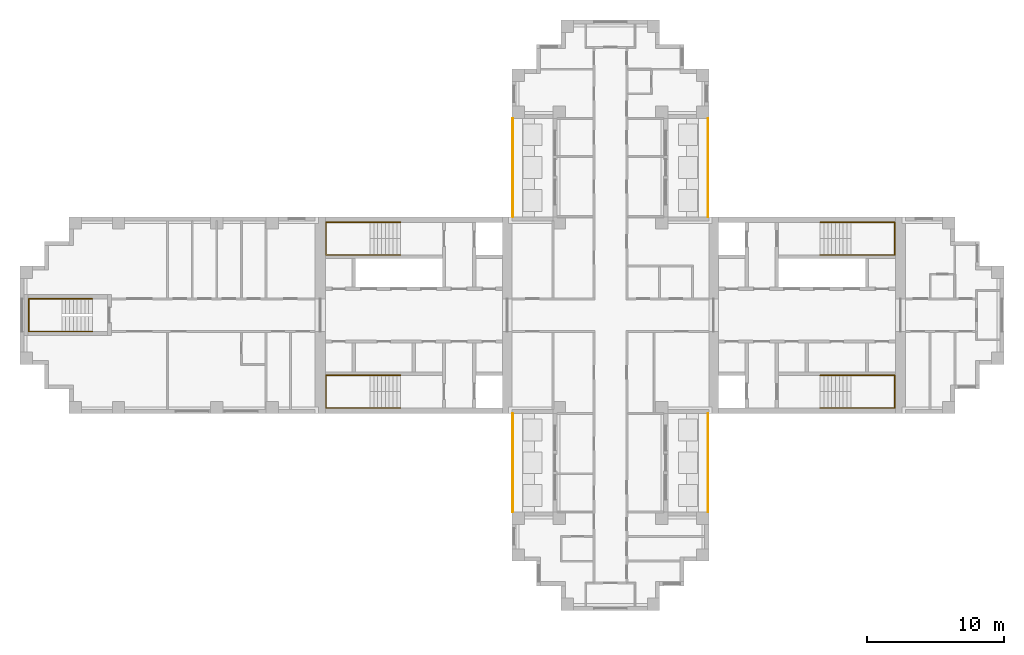
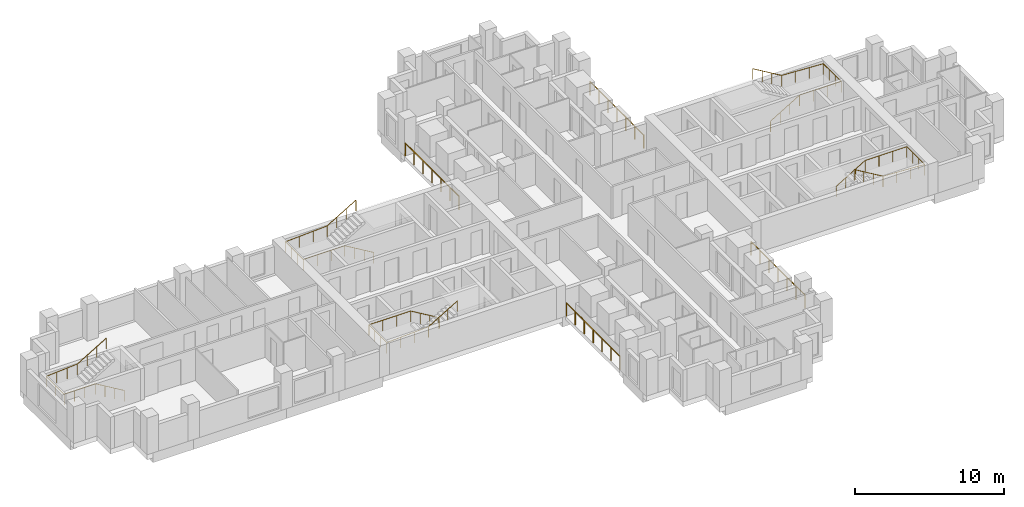
# One storey, part 9 of 10: 9 railings.
"""IFC4 building model written with IfcOpenShell, lengths in metres."""

import ifcopenshell
import ifcopenshell.guid

model = None  # the IFC model being written
_history = None  # IfcOwnerHistory: only IFC2X3 demands one
_inside = {}  # id of a spatial element -> (the spatial element, [elements in it])
_under = {}  # id of a project, library or spatial element -> (it, [spatial elements below it])
_declared = {}  # id of a project -> (the project, [libraries it declares])
_typed = {}  # id of a type object -> (the type object, [elements of that type])
_made_of = {}  # id of a material, layer set ... -> (it, [elements and type objects made of it])


def new_model(schema):
    """Start an empty IFC model of exactly this schema.

    Asked for "IFC4X3", IfcOpenShell would pick the latest addendum, in which some entities
    have other attributes; the version numbers below select the first issue.
    IFC2X3 requires an IfcOwnerHistory on every rooted entity: one is made here for all.
    """
    global model, _history
    if schema == "IFC4X3":
        model = ifcopenshell.file(schema_version=(4, 3, 0, 0))
    else:
        model = ifcopenshell.file(schema=schema)
    _inside.clear()
    _under.clear()
    _declared.clear()
    _typed.clear()
    _made_of.clear()
    _history = None
    if model.schema == "IFC2X3":
        org = make("IfcOrganization", Name="unknown")
        user = make(
            "IfcPersonAndOrganization",
            ThePerson=make("IfcPerson", FamilyName="unknown"),
            TheOrganization=org,
        )
        app = make(
            "IfcApplication",
            ApplicationDeveloper=org,
            Version="unknown",
            ApplicationFullName="unknown",
            ApplicationIdentifier="unknown",
        )
        _history = make(
            "IfcOwnerHistory",
            OwningUser=user,
            OwningApplication=app,
            ChangeAction="ADDED",
            CreationDate=0,
        )
    return model


def make(cls, **values):
    """One entity of the class cls with the attributes given. An attribute that is None is left unset."""
    return model.create_entity(
        cls, **{name: value for name, value in values.items() if value is not None}
    )


def rooted(cls, **values):
    """An entity with a GlobalId (a new one), such as an element, a storey or a relation."""
    return make(cls, GlobalId=ifcopenshell.guid.new(), OwnerHistory=_history, **values)


def si_unit(unit_type, name, prefix=None):
    """IfcSIUnit, for example si_unit("LENGTHUNIT", "METRE", prefix="MILLI")."""
    return make("IfcSIUnit", UnitType=unit_type, Prefix=prefix, Name=name)


def assignment(units):
    """IfcUnitAssignment: the units of a project."""
    return None if units is None else make("IfcUnitAssignment", Units=units)


def point(xyz):
    """IfcCartesianPoint."""
    return None if xyz is None else make("IfcCartesianPoint", Coordinates=xyz)


def direction(xyz):
    """IfcDirection."""
    return None if xyz is None else make("IfcDirection", DirectionRatios=xyz)


def frame(location, z_axis=None, x_axis=None):
    """IfcAxis2Placement3D, a coordinate frame: its origin and axes. An axis left out is left unset."""
    return make(
        "IfcAxis2Placement3D",
        Location=point(location),
        Axis=direction(z_axis),
        RefDirection=direction(x_axis),
    )


def frame_2d(location, x_axis=None):
    """IfcAxis2Placement2D, a coordinate frame in the plane: its origin and x axis."""
    return make(
        "IfcAxis2Placement2D", Location=point(location), RefDirection=direction(x_axis)
    )


def origin():
    """The frame at (0, 0, 0) with its axes left unset."""
    return frame((0.0, 0.0, 0.0))


def origin_2d():
    """The frame at (0, 0) in the plane with its x axis left unset."""
    return frame_2d((0.0, 0.0))


def place(relative_to, where):
    """IfcLocalPlacement: puts the frame where relative to a parent placement (None: the world)."""
    return make(
        "IfcLocalPlacement", PlacementRelTo=relative_to, RelativePlacement=where
    )


def context(
    kind, dimensions, precision=None, world=None, true_north=None, identifier=None
):
    """IfcGeometricRepresentationContext, for example the 3D "Model" context."""
    return make(
        "IfcGeometricRepresentationContext",
        ContextIdentifier=identifier,
        ContextType=kind,
        CoordinateSpaceDimension=dimensions,
        Precision=precision,
        WorldCoordinateSystem=world,
        TrueNorth=true_north,
    )


def subcontext(parent, identifier, kind, view, scale=None):
    """IfcGeometricRepresentationSubContext, for example "Body" below "Model"."""
    return make(
        "IfcGeometricRepresentationSubContext",
        ContextIdentifier=identifier,
        ContextType=kind,
        ParentContext=parent,
        TargetScale=scale,
        TargetView=view,
    )


def project(units=None, contexts=None):
    """IfcProject with its units and contexts."""
    return rooted(
        "IfcProject",
        Name="project",
        RepresentationContexts=contexts,
        UnitsInContext=assignment(units),
    )


def spatial(cls, under=None, at=None, **own):
    """A site, building, storey or space (cls), placed at a placement, below another one or the project."""
    s = rooted(cls, ObjectPlacement=at, **own)
    if under is not None:
        _under.setdefault(under.id(), (under, []))[1].append(s)
    return s


def profile(cls, at=None, kind="AREA", **sizes):
    """A parametric profile (cls). Its sizes go by their IFC names, for example OverallWidth=200.0."""
    return make(cls, ProfileType=kind, Position=at, **sizes)


def circle(**sizes):
    """IfcCircleProfileDef."""
    return profile("IfcCircleProfileDef", **sizes)


def extrude(swept, where, along, depth):
    """IfcExtrudedAreaSolid: the profile swept, set in the frame where, extruded along a direction by depth."""
    return make(
        "IfcExtrudedAreaSolid",
        SweptArea=swept,
        Position=where,
        ExtrudedDirection=direction(along),
        Depth=depth,
    )


def shape(context_of_items, identifier, shape_type, items):
    """IfcShapeRepresentation: the items that make up one representation, for example the "Body"."""
    return make(
        "IfcShapeRepresentation",
        ContextOfItems=context_of_items,
        RepresentationIdentifier=identifier,
        RepresentationType=shape_type,
        Items=items,
    )


def material(Name=None, Category=None):
    """IfcMaterial."""
    return make("IfcMaterial", Name=Name, Category=Category)


def made_of(thing, what):
    """Note that an element or type object is made of a material, layer set ...; save() writes the relation."""
    if what is not None:
        _made_of.setdefault(what.id(), (what, []))[1].append(thing)
    return thing


def type_object(cls, material=None, **own):
    """A type object (cls), such as IfcWallType, which elements share."""
    return made_of(rooted(cls, **own), material)


def element(
    cls,
    number,
    at=None,
    inside=None,
    cuts=None,
    type_object=None,
    material=None,
    context=None,
    identifier="Body",
    shape_type=None,
    held_by="IfcProductDefinitionShape",
    body=None,
    shapes=None,
    **own,
):
    """One element of the class cls, such as IfcWall. Its Tag is "e" and its number.

    at: its placement. inside: the storey or other place that contains it. cuts: it is an
    opening in that element (IfcRelVoidsElement). A single representation is given by context,
    identifier, shape_type and body (its items); several are given by shapes. held_by: the class
    of the entity that holds the representations. save() writes the other relations.
    """
    e = rooted(cls, Tag="e%d" % number, ObjectPlacement=at, **own)
    if body is not None:
        shapes = [shape(context, identifier, shape_type, body)]
    if shapes is not None:
        e.Representation = make(held_by, Representations=shapes)
    if inside is not None:
        _inside.setdefault(inside.id(), (inside, []))[1].append(e)
    if cuts is not None:
        rooted(
            "IfcRelVoidsElement", RelatingBuildingElement=cuts, RelatedOpeningElement=e
        )
    if type_object is not None:
        _typed.setdefault(type_object.id(), (type_object, []))[1].append(e)
    return made_of(e, material)


def aggregate(whole, parts):
    """IfcRelAggregates: a whole, such as a stair, and the parts it consists of."""
    return rooted("IfcRelAggregates", RelatingObject=whole, RelatedObjects=parts)


def save(model, path):
    """Write the relations noted so far, then the file.

    IfcRelAggregates (storeys below a building ...), IfcRelContainedInSpatialStructure (elements
    in a storey), IfcRelDefinesByType, IfcRelAssociatesMaterial and IfcRelDeclares: one each for
    every whole, place, type object, material and project.
    """
    for whole, parts in _under.values():
        aggregate(whole, parts)
    for where, things in _inside.values():
        rooted(
            "IfcRelContainedInSpatialStructure",
            RelatedElements=things,
            RelatingStructure=where,
        )
    for kind, things in _typed.values():
        rooted("IfcRelDefinesByType", RelatedObjects=things, RelatingType=kind)
    for what, things in _made_of.values():
        rooted("IfcRelAssociatesMaterial", RelatedObjects=things, RelatingMaterial=what)
    for by, libraries in _declared.values():
        rooted("IfcRelDeclares", RelatingContext=by, RelatedDefinitions=libraries)
    model.write(path)


model = new_model("IFC4")

# Units and contexts
model_context = context("Model", 3, precision=1e-05, world=origin(), true_north=direction((0.0, 1.0)))
body_context = subcontext(model_context, "Body", "Model", "MODEL_VIEW")
ifc_project = project(units=[si_unit("LENGTHUNIT", "METRE"), si_unit("AREAUNIT", "SQUARE_METRE"), si_unit("VOLUMEUNIT", "CUBIC_METRE"), si_unit("PLANEANGLEUNIT", "RADIAN"), si_unit("MASSUNIT", "GRAM", prefix="KILO")], contexts=[model_context])

# Site, building, storey
site_placement = place(None, origin())
site = spatial("IfcSite", under=ifc_project, at=site_placement, CompositionType="ELEMENT")
building_placement = place(site_placement, origin())
building = spatial("IfcBuilding", under=site, at=building_placement, Name="Fustian Cross Tower", CompositionType="ELEMENT")
storey_placement = place(building_placement, frame((0.0, 0.0, 182.699951171875)))
storey = spatial("IfcBuildingStorey", under=building, at=storey_placement, Name="L57", CompositionType="ELEMENT", Elevation=182.699951171875)

# Railings
ifc_material_1 = material(Name="Stainless steel and glass", Category="steel")
railing_type_1 = type_object("IfcRailingType", Name="GR1 BALCONY GUARD 1100", PredefinedType="GUARDRAIL", material=ifc_material_1)
for number, where, name in (
    (1, (7.14990234375, 7.199951171875, 0.0), "Balcony guard"),
    (2, (-7.14990234375, 7.199951171875, 0.0), "Balcony guard"),
    (3, (7.14990234375, -14.39990234375, 0.0), "Balcony guard"),
    (4, (-7.14990234375, -14.39990234375, 0.0), "Balcony guard"),
):
    element("IfcRailing", number, at=place(storey_placement, frame(where)), inside=storey, type_object=railing_type_1, Name=name, PredefinedType="GUARDRAIL", context=body_context, shape_type="SweptSolid", body=[
        extrude(circle(Radius=0.02392578125, at=origin_2d()), frame((0.0, 0.0, 1.076171875), z_axis=(0.0, 1.0, 0.0), x_axis=(-1.0, 0.0, 0.0)), (0.0, 0.0, 1.0), 7.199951171875),
        extrude(circle(Radius=0.02099609375, at=origin_2d()), origin(), (0.0, 0.0, 1.0), 1.052001953125),
        extrude(circle(Radius=0.02099609375, at=origin_2d()), frame((0.0, 1.199951171875, 0.0)), (0.0, 0.0, 1.0), 1.052001953125),
        extrude(circle(Radius=0.02099609375, at=origin_2d()), frame((0.0, 2.39990234375, 0.0)), (0.0, 0.0, 1.0), 1.052001953125),
        extrude(circle(Radius=0.02099609375, at=origin_2d()), frame((0.0, 3.60009765625, 0.0)), (0.0, 0.0, 1.0), 1.052001953125),
        extrude(circle(Radius=0.02099609375, at=origin_2d()), frame((0.0, 4.800048828125, 0.0)), (0.0, 0.0, 1.0), 1.052001953125),
        extrude(circle(Radius=0.02099609375, at=origin_2d()), frame((0.0, 6.0, 0.0)), (0.0, 0.0, 1.0), 1.052001953125),
        extrude(circle(Radius=0.02099609375, at=origin_2d()), frame((0.0, 7.199951171875, 0.0)), (0.0, 0.0, 1.0), 1.052001953125),
    ])
ifc_material_2 = material(Name="Stainless steel", Category="steel")
railing_type_2 = type_object("IfcRailingType", Name="STAIR HANDRAIL", PredefinedType="HANDRAIL", material=ifc_material_2)
railing_1_placement = place(storey_placement, frame((15.35009765625, 4.39990234375, 0.166748046875)))
element("IfcRailing", 5, at=railing_1_placement, inside=storey, type_object=railing_type_2, Name="Stair ST1 handrail 1", PredefinedType="HANDRAIL", context=body_context, shape_type="SweptSolid", body=[
    extrude(circle(Radius=0.02490234375, at=origin_2d()), frame((0.0, 0.0, 0.875), z_axis=(0.859305625298, 0.0, 0.511462454469), x_axis=(0.0, 1.0, 0.0)), (0.0, 0.0, 1.0), 2.606689453125),
    extrude(circle(Radius=0.02490234375, at=origin_2d()), frame((2.239990234375, 0.0, 2.2080078125), z_axis=(1.0, 0.0, 0.0), x_axis=(0.0, 1.0, 0.0)), (0.0, 0.0, 1.0), 3.219970703125),
    extrude(circle(Radius=0.02490234375, at=origin_2d()), frame((5.4599609375, 0.0, 2.2080078125), z_axis=(0.0, 1.0, 0.0), x_axis=(-1.0, 0.0, 0.0)), (0.0, 0.0, 1.0), 2.400146484375),
    extrude(circle(Radius=0.02490234375, at=origin_2d()), frame((5.4599609375, 2.400146484375, 2.2080078125), z_axis=(-0.998661817807, 0.0, 0.051716280352), x_axis=(0.0, -1.0, 0.0)), (0.0, 0.0, 1.0), 3.224365234375),
    extrude(circle(Radius=0.02490234375, at=origin_2d()), frame((2.239990234375, 2.400146484375, 2.375), z_axis=(-0.859305625298, 0.0, 0.511462454469), x_axis=(0.0, -1.0, 0.0)), (0.0, 0.0, 1.0), 2.606689453125),
    extrude(circle(Radius=0.02001953125, at=origin_2d()), origin(), (0.0, 0.0, 1.0), 0.849853515625),
    extrude(circle(Radius=0.02001953125, at=origin_2d()), frame((0.74658203125, 0.0, 0.4443359375)), (0.0, 0.0, 1.0), 0.849853515625),
    extrude(circle(Radius=0.02001953125, at=origin_2d()), frame((1.493408203125, 0.0, 0.888916015625)), (0.0, 0.0, 1.0), 0.849853515625),
    extrude(circle(Radius=0.02001953125, at=origin_2d()), frame((2.239990234375, 0.0, 1.333251953125)), (0.0, 0.0, 1.0), 0.849853515625),
    extrude(circle(Radius=0.02001953125, at=origin_2d()), frame((3.313232421875, 0.0, 1.333251953125)), (0.0, 0.0, 1.0), 0.849853515625),
    extrude(circle(Radius=0.02001953125, at=origin_2d()), frame((4.38671875, 0.0, 1.333251953125)), (0.0, 0.0, 1.0), 0.849853515625),
    extrude(circle(Radius=0.02001953125, at=origin_2d()), frame((5.4599609375, 0.0, 1.333251953125)), (0.0, 0.0, 1.0), 0.849853515625),
    extrude(circle(Radius=0.02001953125, at=origin_2d()), frame((5.4599609375, 0.800048828125, 1.333251953125)), (0.0, 0.0, 1.0), 0.849853515625),
    extrude(circle(Radius=0.02001953125, at=origin_2d()), frame((5.4599609375, 1.60009765625, 1.333251953125)), (0.0, 0.0, 1.0), 0.849853515625),
    extrude(circle(Radius=0.02001953125, at=origin_2d()), frame((5.4599609375, 2.400146484375, 1.333251953125)), (0.0, 0.0, 1.0), 0.849853515625),
    extrude(circle(Radius=0.02001953125, at=origin_2d()), frame((4.38671875, 2.400146484375, 1.388916015625)), (0.0, 0.0, 1.0), 0.849853515625),
    extrude(circle(Radius=0.02001953125, at=origin_2d()), frame((3.313232421875, 2.400146484375, 1.4443359375)), (0.0, 0.0, 1.0), 0.849853515625),
    extrude(circle(Radius=0.02001953125, at=origin_2d()), frame((2.239990234375, 2.400146484375, 1.5)), (0.0, 0.0, 1.0), 0.849853515625),
    extrude(circle(Radius=0.02001953125, at=origin_2d()), frame((1.493408203125, 2.400146484375, 1.9443359375)), (0.0, 0.0, 1.0), 0.849853515625),
    extrude(circle(Radius=0.02001953125, at=origin_2d()), frame((0.74658203125, 2.400146484375, 2.388916015625)), (0.0, 0.0, 1.0), 0.849853515625),
    extrude(circle(Radius=0.02001953125, at=origin_2d()), frame((0.0, 2.400146484375, 2.833251953125)), (0.0, 0.0, 1.0), 0.849853515625),
])
railing_2_placement = place(storey_placement, frame((15.35009765625, -4.39990234375, 0.166748046875)))
element("IfcRailing", 6, at=railing_2_placement, inside=storey, type_object=railing_type_2, Name="Stair ST2 handrail 1", PredefinedType="HANDRAIL", context=body_context, shape_type="SweptSolid", body=[
    extrude(circle(Radius=0.02490234375, at=origin_2d()), frame((0.0, 0.0, 0.875), z_axis=(0.859305625298, 0.0, 0.511462454469), x_axis=(0.0, 1.0, 0.0)), (0.0, 0.0, 1.0), 2.606689453125),
    extrude(circle(Radius=0.02490234375, at=origin_2d()), frame((2.239990234375, 0.0, 2.2080078125), z_axis=(1.0, 0.0, 0.0), x_axis=(0.0, 1.0, 0.0)), (0.0, 0.0, 1.0), 3.219970703125),
    extrude(circle(Radius=0.02490234375, at=origin_2d()), frame((5.4599609375, 0.0, 2.2080078125), z_axis=(0.0, -1.0, 0.0), x_axis=(1.0, 0.0, 0.0)), (0.0, 0.0, 1.0), 2.400146484375),
    extrude(circle(Radius=0.02490234375, at=origin_2d()), frame((5.4599609375, -2.400146484375, 2.2080078125), z_axis=(-0.998661817807, 0.0, 0.051716280352), x_axis=(0.0, -1.0, 0.0)), (0.0, 0.0, 1.0), 3.224365234375),
    extrude(circle(Radius=0.02490234375, at=origin_2d()), frame((2.239990234375, -2.400146484375, 2.375), z_axis=(-0.859305625298, 0.0, 0.511462454469), x_axis=(0.0, -1.0, 0.0)), (0.0, 0.0, 1.0), 2.606689453125),
    extrude(circle(Radius=0.02001953125, at=origin_2d()), origin(), (0.0, 0.0, 1.0), 0.849853515625),
    extrude(circle(Radius=0.02001953125, at=origin_2d()), frame((0.74658203125, 0.0, 0.4443359375)), (0.0, 0.0, 1.0), 0.849853515625),
    extrude(circle(Radius=0.02001953125, at=origin_2d()), frame((1.493408203125, 0.0, 0.888916015625)), (0.0, 0.0, 1.0), 0.849853515625),
    extrude(circle(Radius=0.02001953125, at=origin_2d()), frame((2.239990234375, 0.0, 1.333251953125)), (0.0, 0.0, 1.0), 0.849853515625),
    extrude(circle(Radius=0.02001953125, at=origin_2d()), frame((3.313232421875, 0.0, 1.333251953125)), (0.0, 0.0, 1.0), 0.849853515625),
    extrude(circle(Radius=0.02001953125, at=origin_2d()), frame((4.38671875, 0.0, 1.333251953125)), (0.0, 0.0, 1.0), 0.849853515625),
    extrude(circle(Radius=0.02001953125, at=origin_2d()), frame((5.4599609375, 0.0, 1.333251953125)), (0.0, 0.0, 1.0), 0.849853515625),
    extrude(circle(Radius=0.02001953125, at=origin_2d()), frame((5.4599609375, -0.800048828125, 1.333251953125)), (0.0, 0.0, 1.0), 0.849853515625),
    extrude(circle(Radius=0.02001953125, at=origin_2d()), frame((5.4599609375, -1.60009765625, 1.333251953125)), (0.0, 0.0, 1.0), 0.849853515625),
    extrude(circle(Radius=0.02001953125, at=origin_2d()), frame((5.4599609375, -2.400146484375, 1.333251953125)), (0.0, 0.0, 1.0), 0.849853515625),
    extrude(circle(Radius=0.02001953125, at=origin_2d()), frame((4.38671875, -2.400146484375, 1.388916015625)), (0.0, 0.0, 1.0), 0.849853515625),
    extrude(circle(Radius=0.02001953125, at=origin_2d()), frame((3.313232421875, -2.400146484375, 1.4443359375)), (0.0, 0.0, 1.0), 0.849853515625),
    extrude(circle(Radius=0.02001953125, at=origin_2d()), frame((2.239990234375, -2.400146484375, 1.5)), (0.0, 0.0, 1.0), 0.849853515625),
    extrude(circle(Radius=0.02001953125, at=origin_2d()), frame((1.493408203125, -2.400146484375, 1.9443359375)), (0.0, 0.0, 1.0), 0.849853515625),
    extrude(circle(Radius=0.02001953125, at=origin_2d()), frame((0.74658203125, -2.400146484375, 2.388916015625)), (0.0, 0.0, 1.0), 0.849853515625),
    extrude(circle(Radius=0.02001953125, at=origin_2d()), frame((0.0, -2.400146484375, 2.833251953125)), (0.0, 0.0, 1.0), 0.849853515625),
])
railing_3_placement = place(storey_placement, frame((-15.35009765625, 4.39990234375, 0.166748046875)))
element("IfcRailing", 7, at=railing_3_placement, inside=storey, type_object=railing_type_2, Name="Stair ST3 handrail 1", PredefinedType="HANDRAIL", context=body_context, shape_type="SweptSolid", body=[
    extrude(circle(Radius=0.02490234375, at=origin_2d()), frame((0.0, 0.0, 0.875), z_axis=(-0.859305625298, 0.0, 0.511462454469), x_axis=(0.0, -1.0, 0.0)), (0.0, 0.0, 1.0), 2.606689453125),
    extrude(circle(Radius=0.02490234375, at=origin_2d()), frame((-2.239990234375, 0.0, 2.2080078125), z_axis=(-1.0, 0.0, 0.0), x_axis=(0.0, -1.0, 0.0)), (0.0, 0.0, 1.0), 3.219970703125),
    extrude(circle(Radius=0.02490234375, at=origin_2d()), frame((-5.4599609375, 0.0, 2.2080078125), z_axis=(0.0, 1.0, 0.0), x_axis=(-1.0, 0.0, 0.0)), (0.0, 0.0, 1.0), 2.400146484375),
    extrude(circle(Radius=0.02490234375, at=origin_2d()), frame((-5.4599609375, 2.400146484375, 2.2080078125), z_axis=(0.998661817807, 0.0, 0.051716280352), x_axis=(0.0, 1.0, 0.0)), (0.0, 0.0, 1.0), 3.224365234375),
    extrude(circle(Radius=0.02490234375, at=origin_2d()), frame((-2.239990234375, 2.400146484375, 2.375), z_axis=(0.859305625298, 0.0, 0.511462454469), x_axis=(0.0, 1.0, 0.0)), (0.0, 0.0, 1.0), 2.606689453125),
    extrude(circle(Radius=0.02001953125, at=origin_2d()), origin(), (0.0, 0.0, 1.0), 0.849853515625),
    extrude(circle(Radius=0.02001953125, at=origin_2d()), frame((-0.74658203125, 0.0, 0.4443359375)), (0.0, 0.0, 1.0), 0.849853515625),
    extrude(circle(Radius=0.02001953125, at=origin_2d()), frame((-1.493408203125, 0.0, 0.888916015625)), (0.0, 0.0, 1.0), 0.849853515625),
    extrude(circle(Radius=0.02001953125, at=origin_2d()), frame((-2.239990234375, 0.0, 1.333251953125)), (0.0, 0.0, 1.0), 0.849853515625),
    extrude(circle(Radius=0.02001953125, at=origin_2d()), frame((-3.313232421875, 0.0, 1.333251953125)), (0.0, 0.0, 1.0), 0.849853515625),
    extrude(circle(Radius=0.02001953125, at=origin_2d()), frame((-4.38671875, 0.0, 1.333251953125)), (0.0, 0.0, 1.0), 0.849853515625),
    extrude(circle(Radius=0.02001953125, at=origin_2d()), frame((-5.4599609375, 0.0, 1.333251953125)), (0.0, 0.0, 1.0), 0.849853515625),
    extrude(circle(Radius=0.02001953125, at=origin_2d()), frame((-5.4599609375, 0.800048828125, 1.333251953125)), (0.0, 0.0, 1.0), 0.849853515625),
    extrude(circle(Radius=0.02001953125, at=origin_2d()), frame((-5.4599609375, 1.60009765625, 1.333251953125)), (0.0, 0.0, 1.0), 0.849853515625),
    extrude(circle(Radius=0.02001953125, at=origin_2d()), frame((-5.4599609375, 2.400146484375, 1.333251953125)), (0.0, 0.0, 1.0), 0.849853515625),
    extrude(circle(Radius=0.02001953125, at=origin_2d()), frame((-4.38671875, 2.400146484375, 1.388916015625)), (0.0, 0.0, 1.0), 0.849853515625),
    extrude(circle(Radius=0.02001953125, at=origin_2d()), frame((-3.313232421875, 2.400146484375, 1.4443359375)), (0.0, 0.0, 1.0), 0.849853515625),
    extrude(circle(Radius=0.02001953125, at=origin_2d()), frame((-2.239990234375, 2.400146484375, 1.5)), (0.0, 0.0, 1.0), 0.849853515625),
    extrude(circle(Radius=0.02001953125, at=origin_2d()), frame((-1.493408203125, 2.400146484375, 1.9443359375)), (0.0, 0.0, 1.0), 0.849853515625),
    extrude(circle(Radius=0.02001953125, at=origin_2d()), frame((-0.74658203125, 2.400146484375, 2.388916015625)), (0.0, 0.0, 1.0), 0.849853515625),
    extrude(circle(Radius=0.02001953125, at=origin_2d()), frame((0.0, 2.400146484375, 2.833251953125)), (0.0, 0.0, 1.0), 0.849853515625),
])
railing_4_placement = place(storey_placement, frame((-15.35009765625, -4.39990234375, 0.166748046875)))
element("IfcRailing", 8, at=railing_4_placement, inside=storey, type_object=railing_type_2, Name="Stair ST4 handrail 1", PredefinedType="HANDRAIL", context=body_context, shape_type="SweptSolid", body=[
    extrude(circle(Radius=0.02490234375, at=origin_2d()), frame((0.0, 0.0, 0.875), z_axis=(-0.859305625298, 0.0, 0.511462454469), x_axis=(0.0, -1.0, 0.0)), (0.0, 0.0, 1.0), 2.606689453125),
    extrude(circle(Radius=0.02490234375, at=origin_2d()), frame((-2.239990234375, 0.0, 2.2080078125), z_axis=(-1.0, 0.0, 0.0), x_axis=(0.0, -1.0, 0.0)), (0.0, 0.0, 1.0), 3.219970703125),
    extrude(circle(Radius=0.02490234375, at=origin_2d()), frame((-5.4599609375, 0.0, 2.2080078125), z_axis=(0.0, -1.0, 0.0), x_axis=(1.0, 0.0, 0.0)), (0.0, 0.0, 1.0), 2.400146484375),
    extrude(circle(Radius=0.02490234375, at=origin_2d()), frame((-5.4599609375, -2.400146484375, 2.2080078125), z_axis=(0.998661817807, 0.0, 0.051716280352), x_axis=(0.0, 1.0, 0.0)), (0.0, 0.0, 1.0), 3.224365234375),
    extrude(circle(Radius=0.02490234375, at=origin_2d()), frame((-2.239990234375, -2.400146484375, 2.375), z_axis=(0.859305625298, 0.0, 0.511462454469), x_axis=(0.0, 1.0, 0.0)), (0.0, 0.0, 1.0), 2.606689453125),
    extrude(circle(Radius=0.02001953125, at=origin_2d()), origin(), (0.0, 0.0, 1.0), 0.849853515625),
    extrude(circle(Radius=0.02001953125, at=origin_2d()), frame((-0.74658203125, 0.0, 0.4443359375)), (0.0, 0.0, 1.0), 0.849853515625),
    extrude(circle(Radius=0.02001953125, at=origin_2d()), frame((-1.493408203125, 0.0, 0.888916015625)), (0.0, 0.0, 1.0), 0.849853515625),
    extrude(circle(Radius=0.02001953125, at=origin_2d()), frame((-2.239990234375, 0.0, 1.333251953125)), (0.0, 0.0, 1.0), 0.849853515625),
    extrude(circle(Radius=0.02001953125, at=origin_2d()), frame((-3.313232421875, 0.0, 1.333251953125)), (0.0, 0.0, 1.0), 0.849853515625),
    extrude(circle(Radius=0.02001953125, at=origin_2d()), frame((-4.38671875, 0.0, 1.333251953125)), (0.0, 0.0, 1.0), 0.849853515625),
    extrude(circle(Radius=0.02001953125, at=origin_2d()), frame((-5.4599609375, 0.0, 1.333251953125)), (0.0, 0.0, 1.0), 0.849853515625),
    extrude(circle(Radius=0.02001953125, at=origin_2d()), frame((-5.4599609375, -0.800048828125, 1.333251953125)), (0.0, 0.0, 1.0), 0.849853515625),
    extrude(circle(Radius=0.02001953125, at=origin_2d()), frame((-5.4599609375, -1.60009765625, 1.333251953125)), (0.0, 0.0, 1.0), 0.849853515625),
    extrude(circle(Radius=0.02001953125, at=origin_2d()), frame((-5.4599609375, -2.400146484375, 1.333251953125)), (0.0, 0.0, 1.0), 0.849853515625),
    extrude(circle(Radius=0.02001953125, at=origin_2d()), frame((-4.38671875, -2.400146484375, 1.388916015625)), (0.0, 0.0, 1.0), 0.849853515625),
    extrude(circle(Radius=0.02001953125, at=origin_2d()), frame((-3.313232421875, -2.400146484375, 1.4443359375)), (0.0, 0.0, 1.0), 0.849853515625),
    extrude(circle(Radius=0.02001953125, at=origin_2d()), frame((-2.239990234375, -2.400146484375, 1.5)), (0.0, 0.0, 1.0), 0.849853515625),
    extrude(circle(Radius=0.02001953125, at=origin_2d()), frame((-1.493408203125, -2.400146484375, 1.9443359375)), (0.0, 0.0, 1.0), 0.849853515625),
    extrude(circle(Radius=0.02001953125, at=origin_2d()), frame((-0.74658203125, -2.400146484375, 2.388916015625)), (0.0, 0.0, 1.0), 0.849853515625),
    extrude(circle(Radius=0.02001953125, at=origin_2d()), frame((0.0, -2.400146484375, 2.833251953125)), (0.0, 0.0, 1.0), 0.849853515625),
])
railing_5_placement = place(storey_placement, frame((-37.89990234375, -1.199951171875, 0.166748046875)))
element("IfcRailing", 9, at=railing_5_placement, inside=storey, type_object=railing_type_2, Name="Stair ST9 handrail 1", PredefinedType="HANDRAIL", context=body_context, shape_type="SweptSolid", body=[
    extrude(circle(Radius=0.02490234375, at=origin_2d()), frame((0.0, 0.0, 0.875), z_axis=(-0.859305625298, 0.0, 0.511462454469), x_axis=(0.0, -1.0, 0.0)), (0.0, 0.0, 1.0), 2.606689453125),
    extrude(circle(Radius=0.02490234375, at=origin_2d()), frame((-2.239990234375, 0.0, 2.2080078125), z_axis=(-1.0, 0.0, 0.0), x_axis=(0.0, -1.0, 0.0)), (0.0, 0.0, 1.0), 2.420166015625),
    extrude(circle(Radius=0.02490234375, at=origin_2d()), frame((-4.66015625, 0.0, 2.2080078125), z_axis=(0.0, 1.0, 0.0), x_axis=(-1.0, 0.0, 0.0)), (0.0, 0.0, 1.0), 2.39990234375),
    extrude(circle(Radius=0.02490234375, at=origin_2d()), frame((-4.66015625, 2.39990234375, 2.2080078125), z_axis=(0.997634852044, 0.0, 0.068736467663), x_axis=(0.0, 1.0, 0.0)), (0.0, 0.0, 1.0), 2.426025390625),
    extrude(circle(Radius=0.02490234375, at=origin_2d()), frame((-2.239990234375, 2.39990234375, 2.375), z_axis=(0.859305625298, 0.0, 0.511462454469), x_axis=(0.0, 1.0, 0.0)), (0.0, 0.0, 1.0), 2.606689453125),
    extrude(circle(Radius=0.02001953125, at=origin_2d()), origin(), (0.0, 0.0, 1.0), 0.849853515625),
    extrude(circle(Radius=0.02001953125, at=origin_2d()), frame((-0.74658203125, 0.0, 0.4443359375)), (0.0, 0.0, 1.0), 0.849853515625),
    extrude(circle(Radius=0.02001953125, at=origin_2d()), frame((-1.493408203125, 0.0, 0.888916015625)), (0.0, 0.0, 1.0), 0.849853515625),
    extrude(circle(Radius=0.02001953125, at=origin_2d()), frame((-2.239990234375, 0.0, 1.333251953125)), (0.0, 0.0, 1.0), 0.849853515625),
    extrude(circle(Radius=0.02001953125, at=origin_2d()), frame((-3.046630859375, 0.0, 1.333251953125)), (0.0, 0.0, 1.0), 0.849853515625),
    extrude(circle(Radius=0.02001953125, at=origin_2d()), frame((-3.853515625, 0.0, 1.333251953125)), (0.0, 0.0, 1.0), 0.849853515625),
    extrude(circle(Radius=0.02001953125, at=origin_2d()), frame((-4.66015625, 0.0, 1.333251953125)), (0.0, 0.0, 1.0), 0.849853515625),
    extrude(circle(Radius=0.02001953125, at=origin_2d()), frame((-4.66015625, 1.199951171875, 1.333251953125)), (0.0, 0.0, 1.0), 0.849853515625),
    extrude(circle(Radius=0.02001953125, at=origin_2d()), frame((-4.66015625, 2.39990234375, 1.333251953125)), (0.0, 0.0, 1.0), 0.849853515625),
    extrude(circle(Radius=0.02001953125, at=origin_2d()), frame((-3.853515625, 2.39990234375, 1.388916015625)), (0.0, 0.0, 1.0), 0.849853515625),
    extrude(circle(Radius=0.02001953125, at=origin_2d()), frame((-3.046630859375, 2.39990234375, 1.4443359375)), (0.0, 0.0, 1.0), 0.849853515625),
    extrude(circle(Radius=0.02001953125, at=origin_2d()), frame((-2.239990234375, 2.39990234375, 1.5)), (0.0, 0.0, 1.0), 0.849853515625),
    extrude(circle(Radius=0.02001953125, at=origin_2d()), frame((-1.493408203125, 2.39990234375, 1.9443359375)), (0.0, 0.0, 1.0), 0.849853515625),
    extrude(circle(Radius=0.02001953125, at=origin_2d()), frame((-0.74658203125, 2.39990234375, 2.388916015625)), (0.0, 0.0, 1.0), 0.849853515625),
    extrude(circle(Radius=0.02001953125, at=origin_2d()), frame((0.0, 2.39990234375, 2.833251953125)), (0.0, 0.0, 1.0), 0.849853515625),
])

save(model, "model.ifc")
